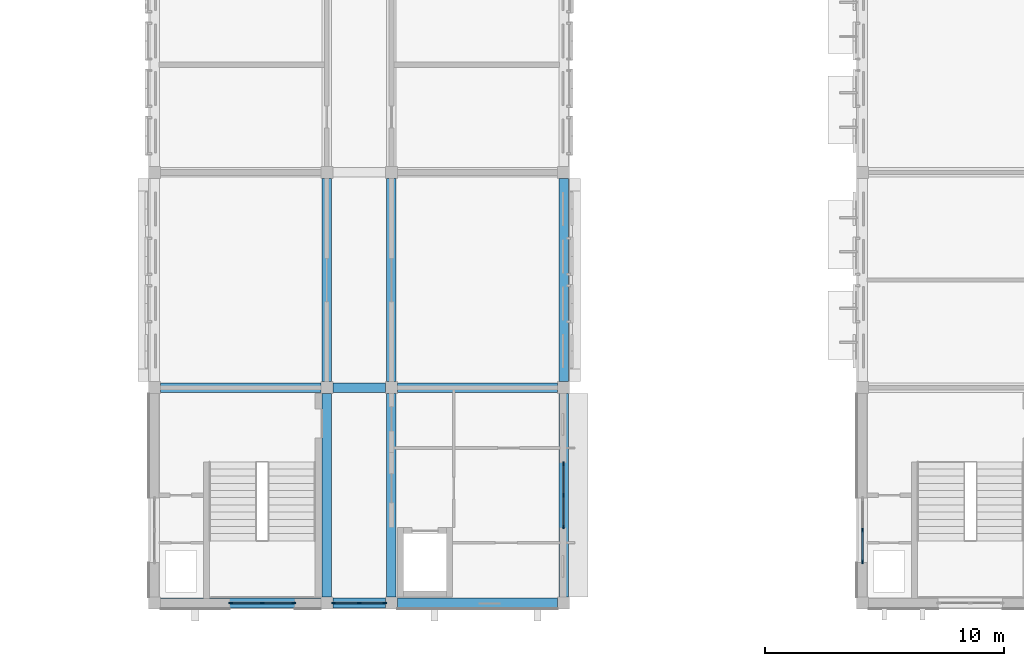
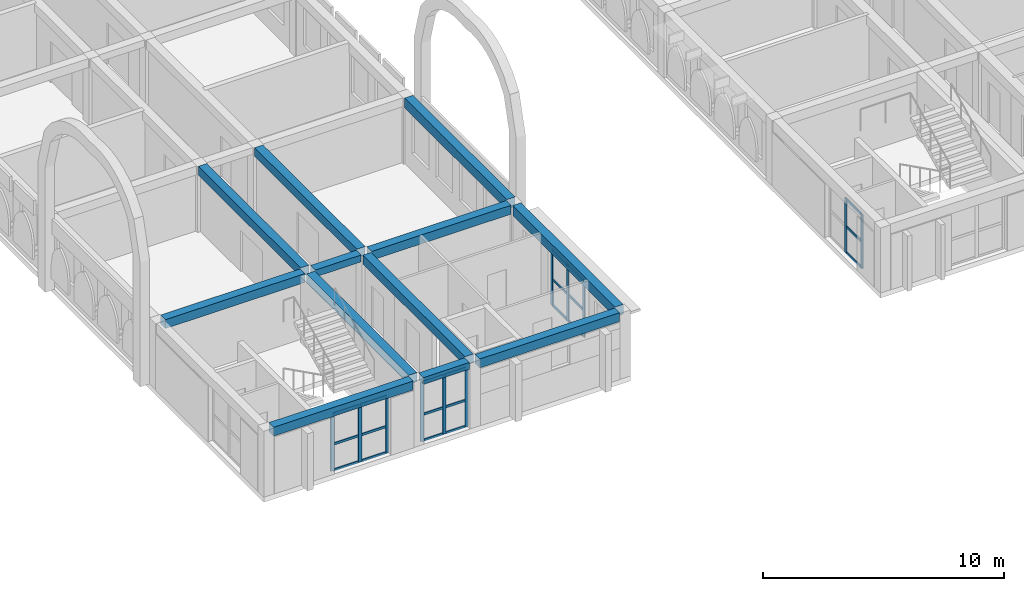
# One storey, part 22 of 65: 32 members, 12 beams, 4 elements without a shape of their own.
"""IFC4 building model written with IfcOpenShell, lengths in metres."""

from ifc_helpers import new_model, si_unit, direction, frame, origin, origin_2d, place, context, subcontext, project, spatial, rectangle, extrude, material, layer, layer_set, material_profile, profile_set, type_object, element, aggregate, save


model = new_model("IFC4")

# Units and contexts
model_context = context("Model", 3, precision=1e-05, world=origin(), true_north=direction((0.0, 1.0)))
body_context = subcontext(model_context, "Body", "Model", "MODEL_VIEW")
ifc_project = project(units=[si_unit("LENGTHUNIT", "METRE"), si_unit("AREAUNIT", "SQUARE_METRE"), si_unit("VOLUMEUNIT", "CUBIC_METRE"), si_unit("PLANEANGLEUNIT", "RADIAN"), si_unit("MASSUNIT", "GRAM", prefix="KILO")], contexts=[model_context])

# Site, building, storey
site_placement = place(None, origin())
site = spatial("IfcSite", under=ifc_project, at=site_placement, CompositionType="ELEMENT")
building_placement = place(site_placement, origin())
building = spatial("IfcBuilding", under=site, at=building_placement, Name="Elbe Cascade School", CompositionType="ELEMENT")
storey_placement = place(building_placement, frame((0.0, 0.0, 11.699951171875)))
storey = spatial("IfcBuildingStorey", under=building, at=storey_placement, Name="L03", CompositionType="ELEMENT", Elevation=11.699951171875)

# Curtain wall, members
ifc_material_1 = material(Name="Aluminium frame with double glazing, bronze anodised", Category="aluminium")
ifc_layer = layer(ifc_material_1, 0.159912109375)
ifc_layer_set = layer_set([ifc_layer], Name="Aluminium frame with double glazing, bronze anodised")
curtain_wall_type = type_object("IfcCurtainWallType", Name="Bars envelope Curtain wall, aluminium, bronze anodised, storey-high slot", PredefinedType="NOTDEFINED", material=ifc_layer_set)
curtain_wall_1_placement = place(storey_placement, origin())
curtain_wall_1 = element("IfcCurtainWall", 1, at=curtain_wall_1_placement, inside=storey, type_object=curtain_wall_type, Name="Curtain wall CW4 A.L03.e1", PredefinedType="NOTDEFINED")
ifc_material_2 = material(Name="Aluminium mullion, bronze anodised", Category="aluminium")
ifc_material_profile_1 = material_profile(ifc_material_2, rectangle(XDim=0.06005859375, YDim=0.159912109375, at=origin_2d()), Name="Bars envelope Curtain wall mullion 60 x 160, aluminium, storey-high slot")
ifc_profile_set_1 = profile_set([ifc_material_profile_1], Name="Aluminium mullion, bronze anodised")
member_type_1 = type_object("IfcMemberType", Name="Bars envelope Curtain wall mullion 60 x 160, aluminium, storey-high slot", PredefinedType="MULLION", material=ifc_profile_set_1)
member_1_placement = place(storey_placement, frame((86.10009765625, 11.820068359375, 0.0), z_axis=(0.0, 0.0, 1.0), x_axis=(1.0, 0.0, 0.0)))
member_1 = element("IfcMember", 2, at=member_1_placement, type_object=member_type_1, Name="CW4 mullion 1", PredefinedType="MULLION", context=body_context, shape_type="SweptSolid", body=[
    extrude(rectangle(XDim=0.06005859375, YDim=0.159912109375, at=origin_2d()), origin(), (0.0, 0.0, 1.0), 2.85009765625),
])
member_2_placement = place(storey_placement, frame((86.10009765625, 10.5, 0.0), z_axis=(0.0, 0.0, 1.0), x_axis=(1.0, 0.0, 0.0)))
member_2 = element("IfcMember", 3, at=member_2_placement, type_object=member_type_1, Name="CW4 mullion 2", PredefinedType="MULLION", context=body_context, shape_type="SweptSolid", body=[
    extrude(rectangle(XDim=0.06005859375, YDim=0.159912109375, at=origin_2d()), origin(), (0.0, 0.0, 1.0), 2.85009765625),
])
member_3_placement = place(storey_placement, frame((86.10009765625, 9.179931640625, 0.0), z_axis=(0.0, 0.0, 1.0), x_axis=(1.0, 0.0, 0.0)))
member_3 = element("IfcMember", 4, at=member_3_placement, type_object=member_type_1, Name="CW4 mullion 3", PredefinedType="MULLION", context=body_context, shape_type="SweptSolid", body=[
    extrude(rectangle(XDim=0.06005859375, YDim=0.159912109375, at=origin_2d()), origin(), (0.0, 0.0, 1.0), 2.85009765625),
])

curtain_wall_2_placement = place(storey_placement, origin())
curtain_wall_2 = element("IfcCurtainWall", 5, at=curtain_wall_2_placement, inside=storey, type_object=curtain_wall_type, Name="Curtain wall CW4 A.L03.s1", PredefinedType="NOTDEFINED")
member_4_placement = place(storey_placement, frame((74.820068359375, 6.0, 0.0), z_axis=(0.0, 0.0, 1.0), x_axis=(0.0, -1.0, 0.0)))
member_4 = element("IfcMember", 6, at=member_4_placement, type_object=member_type_1, Name="CW4 mullion 1", PredefinedType="MULLION", context=body_context, shape_type="SweptSolid", body=[
    extrude(rectangle(XDim=0.06005859375, YDim=0.159912109375, at=origin_2d()), origin(), (0.0, 0.0, 1.0), 2.900146484375),
])
member_5_placement = place(storey_placement, frame((73.5, 6.0, 0.0), z_axis=(0.0, 0.0, 1.0), x_axis=(0.0, -1.0, 0.0)))
member_5 = element("IfcMember", 7, at=member_5_placement, type_object=member_type_1, Name="CW4 mullion 2", PredefinedType="MULLION", context=body_context, shape_type="SweptSolid", body=[
    extrude(rectangle(XDim=0.06005859375, YDim=0.159912109375, at=origin_2d()), origin(), (0.0, 0.0, 1.0), 2.900146484375),
])
member_6_placement = place(storey_placement, frame((72.179931640625, 6.0, 0.0), z_axis=(0.0, 0.0, 1.0), x_axis=(0.0, -1.0, 0.0)))
member_6 = element("IfcMember", 8, at=member_6_placement, type_object=member_type_1, Name="CW4 mullion 3", PredefinedType="MULLION", context=body_context, shape_type="SweptSolid", body=[
    extrude(rectangle(XDim=0.06005859375, YDim=0.159912109375, at=origin_2d()), origin(), (0.0, 0.0, 1.0), 2.900146484375),
])

curtain_wall_3_placement = place(storey_placement, origin())
curtain_wall_3 = element("IfcCurtainWall", 9, at=curtain_wall_3_placement, inside=storey, type_object=curtain_wall_type, Name="Curtain wall CW4 A.L03.s2", PredefinedType="NOTDEFINED")
member_7_placement = place(storey_placement, frame((78.6201171875, 6.0, 0.0), z_axis=(0.0, 0.0, 1.0), x_axis=(0.0, -1.0, 0.0)))
member_7 = element("IfcMember", 10, at=member_7_placement, type_object=member_type_1, Name="CW4 mullion 1", PredefinedType="MULLION", context=body_context, shape_type="SweptSolid", body=[
    extrude(rectangle(XDim=0.06005859375, YDim=0.159912109375, at=origin_2d()), origin(), (0.0, 0.0, 1.0), 3.0),
])
member_8_placement = place(storey_placement, frame((77.550048828125, 6.0, 0.0), z_axis=(0.0, 0.0, 1.0), x_axis=(0.0, -1.0, 0.0)))
member_8 = element("IfcMember", 11, at=member_8_placement, type_object=member_type_1, Name="CW4 mullion 2", PredefinedType="MULLION", context=body_context, shape_type="SweptSolid", body=[
    extrude(rectangle(XDim=0.06005859375, YDim=0.159912109375, at=origin_2d()), origin(), (0.0, 0.0, 1.0), 3.0),
])
member_9_placement = place(storey_placement, frame((76.47998046875, 6.0, 0.0), z_axis=(0.0, 0.0, 1.0), x_axis=(0.0, -1.0, 0.0)))
member_9 = element("IfcMember", 12, at=member_9_placement, type_object=member_type_1, Name="CW4 mullion 3", PredefinedType="MULLION", context=body_context, shape_type="SweptSolid", body=[
    extrude(rectangle(XDim=0.06005859375, YDim=0.159912109375, at=origin_2d()), origin(), (0.0, 0.0, 1.0), 3.0),
])

curtain_wall_4_placement = place(storey_placement, origin())
curtain_wall_4 = element("IfcCurtainWall", 13, at=curtain_wall_4_placement, inside=storey, type_object=curtain_wall_type, Name="Curtain wall CW4 B.L03.w1", PredefinedType="NOTDEFINED")
member_10_placement = place(storey_placement, frame((98.60009765625, 7.719970703125, 0.0), z_axis=(0.0, 0.0, 1.0), x_axis=(-1.0, 0.0, 0.0)))
member_10 = element("IfcMember", 14, at=member_10_placement, type_object=member_type_1, Name="CW4 mullion 1", PredefinedType="MULLION", context=body_context, shape_type="SweptSolid", body=[
    extrude(rectangle(XDim=0.06005859375, YDim=0.159912109375, at=origin_2d()), origin(), (0.0, 0.0, 1.0), 2.75),
])
member_11_placement = place(storey_placement, frame((98.60009765625, 9.0400390625, 0.0), z_axis=(0.0, 0.0, 1.0), x_axis=(-1.0, 0.0, 0.0)))
member_11 = element("IfcMember", 15, at=member_11_placement, type_object=member_type_1, Name="CW4 mullion 2", PredefinedType="MULLION", context=body_context, shape_type="SweptSolid", body=[
    extrude(rectangle(XDim=0.06005859375, YDim=0.159912109375, at=origin_2d()), origin(), (0.0, 0.0, 1.0), 2.75),
])

# Member
ifc_material_3 = material(Name="Aluminium transom, bronze anodised", Category="aluminium")
ifc_material_profile_2 = material_profile(ifc_material_3, rectangle(XDim=0.06005859375, YDim=0.1201171875, at=origin_2d()), Name="Bars envelope Curtain wall transom 60 x 120, aluminium, storey-high slot")
ifc_profile_set_2 = profile_set([ifc_material_profile_2], Name="Aluminium transom, bronze anodised")
member_type_2 = type_object("IfcMemberType", Name="Bars envelope Curtain wall transom 60 x 120, aluminium, storey-high slot", PredefinedType="USERDEFINED", material=ifc_profile_set_2)
member_12_placement = place(storey_placement, frame((86.10009765625, 11.7900390625, 0.030029296875), z_axis=(0.0, -1.0, 0.0), x_axis=(1.0, 0.0, 0.0)))
member_12 = element("IfcMember", 16, at=member_12_placement, type_object=member_type_2, Name="CW4 transom 1.1", ObjectType="TRANSOM", PredefinedType="USERDEFINED", context=body_context, shape_type="SweptSolid", body=[
    extrude(rectangle(XDim=0.06005859375, YDim=0.1201171875, at=origin_2d()), origin(), (0.0, 0.0, 1.0), 1.260009765625),
])

member_13_placement = place(storey_placement, frame((86.10009765625, 11.7900390625, 1.35009765625), z_axis=(0.0, -1.0, 0.0), x_axis=(1.0, 0.0, 0.0)))
member_13 = element("IfcMember", 17, at=member_13_placement, type_object=member_type_2, Name="CW4 transom 1.2", ObjectType="TRANSOM", PredefinedType="USERDEFINED", context=body_context, shape_type="SweptSolid", body=[
    extrude(rectangle(XDim=0.06005859375, YDim=0.1201171875, at=origin_2d()), origin(), (0.0, 0.0, 1.0), 1.260009765625),
])

member_14_placement = place(storey_placement, frame((86.10009765625, 11.7900390625, 2.820068359375), z_axis=(0.0, -1.0, 0.0), x_axis=(1.0, 0.0, 0.0)))
member_14 = element("IfcMember", 18, at=member_14_placement, type_object=member_type_2, Name="CW4 transom 1.3", ObjectType="TRANSOM", PredefinedType="USERDEFINED", context=body_context, shape_type="SweptSolid", body=[
    extrude(rectangle(XDim=0.06005859375, YDim=0.1201171875, at=origin_2d()), origin(), (0.0, 0.0, 1.0), 1.260009765625),
])

member_15_placement = place(storey_placement, frame((86.10009765625, 10.469970703125, 0.030029296875), z_axis=(0.0, -1.0, 0.0), x_axis=(1.0, 0.0, 0.0)))
member_15 = element("IfcMember", 19, at=member_15_placement, type_object=member_type_2, Name="CW4 transom 2.1", ObjectType="TRANSOM", PredefinedType="USERDEFINED", context=body_context, shape_type="SweptSolid", body=[
    extrude(rectangle(XDim=0.06005859375, YDim=0.1201171875, at=origin_2d()), origin(), (0.0, 0.0, 1.0), 1.260009765625),
])

member_16_placement = place(storey_placement, frame((86.10009765625, 10.469970703125, 1.35009765625), z_axis=(0.0, -1.0, 0.0), x_axis=(1.0, 0.0, 0.0)))
member_16 = element("IfcMember", 20, at=member_16_placement, type_object=member_type_2, Name="CW4 transom 2.2", ObjectType="TRANSOM", PredefinedType="USERDEFINED", context=body_context, shape_type="SweptSolid", body=[
    extrude(rectangle(XDim=0.06005859375, YDim=0.1201171875, at=origin_2d()), origin(), (0.0, 0.0, 1.0), 1.260009765625),
])

member_17_placement = place(storey_placement, frame((86.10009765625, 10.469970703125, 2.820068359375), z_axis=(0.0, -1.0, 0.0), x_axis=(1.0, 0.0, 0.0)))
member_17 = element("IfcMember", 21, at=member_17_placement, type_object=member_type_2, Name="CW4 transom 2.3", ObjectType="TRANSOM", PredefinedType="USERDEFINED", context=body_context, shape_type="SweptSolid", body=[
    extrude(rectangle(XDim=0.06005859375, YDim=0.1201171875, at=origin_2d()), origin(), (0.0, 0.0, 1.0), 1.260009765625),
])

aggregate(curtain_wall_1, [member_1, member_2, member_3, member_12, member_13, member_14, member_15, member_16, member_17])

member_18_placement = place(storey_placement, frame((74.7900390625, 6.0, 0.030029296875), z_axis=(-1.0, 0.0, 0.0), x_axis=(0.0, -1.0, 0.0)))
member_18 = element("IfcMember", 22, at=member_18_placement, type_object=member_type_2, Name="CW4 transom 1.1", ObjectType="TRANSOM", PredefinedType="USERDEFINED", context=body_context, shape_type="SweptSolid", body=[
    extrude(rectangle(XDim=0.06005859375, YDim=0.1201171875, at=origin_2d()), origin(), (0.0, 0.0, 1.0), 1.260009765625),
])

member_19_placement = place(storey_placement, frame((74.7900390625, 6.0, 1.35009765625), z_axis=(-1.0, 0.0, 0.0), x_axis=(0.0, -1.0, 0.0)))
member_19 = element("IfcMember", 23, at=member_19_placement, type_object=member_type_2, Name="CW4 transom 1.2", ObjectType="TRANSOM", PredefinedType="USERDEFINED", context=body_context, shape_type="SweptSolid", body=[
    extrude(rectangle(XDim=0.06005859375, YDim=0.1201171875, at=origin_2d()), origin(), (0.0, 0.0, 1.0), 1.260009765625),
])

member_20_placement = place(storey_placement, frame((74.7900390625, 6.0, 2.8701171875), z_axis=(-1.0, 0.0, 0.0), x_axis=(0.0, -1.0, 0.0)))
member_20 = element("IfcMember", 24, at=member_20_placement, type_object=member_type_2, Name="CW4 transom 1.3", ObjectType="TRANSOM", PredefinedType="USERDEFINED", context=body_context, shape_type="SweptSolid", body=[
    extrude(rectangle(XDim=0.06005859375, YDim=0.1201171875, at=origin_2d()), origin(), (0.0, 0.0, 1.0), 1.260009765625),
])

member_21_placement = place(storey_placement, frame((73.469970703125, 6.0, 0.030029296875), z_axis=(-1.0, 0.0, 0.0), x_axis=(0.0, -1.0, 0.0)))
member_21 = element("IfcMember", 25, at=member_21_placement, type_object=member_type_2, Name="CW4 transom 2.1", ObjectType="TRANSOM", PredefinedType="USERDEFINED", context=body_context, shape_type="SweptSolid", body=[
    extrude(rectangle(XDim=0.06005859375, YDim=0.1201171875, at=origin_2d()), origin(), (0.0, 0.0, 1.0), 1.260009765625),
])

member_22_placement = place(storey_placement, frame((73.469970703125, 6.0, 1.35009765625), z_axis=(-1.0, 0.0, 0.0), x_axis=(0.0, -1.0, 0.0)))
member_22 = element("IfcMember", 26, at=member_22_placement, type_object=member_type_2, Name="CW4 transom 2.2", ObjectType="TRANSOM", PredefinedType="USERDEFINED", context=body_context, shape_type="SweptSolid", body=[
    extrude(rectangle(XDim=0.06005859375, YDim=0.1201171875, at=origin_2d()), origin(), (0.0, 0.0, 1.0), 1.260009765625),
])

member_23_placement = place(storey_placement, frame((73.469970703125, 6.0, 2.8701171875), z_axis=(-1.0, 0.0, 0.0), x_axis=(0.0, -1.0, 0.0)))
member_23 = element("IfcMember", 27, at=member_23_placement, type_object=member_type_2, Name="CW4 transom 2.3", ObjectType="TRANSOM", PredefinedType="USERDEFINED", context=body_context, shape_type="SweptSolid", body=[
    extrude(rectangle(XDim=0.06005859375, YDim=0.1201171875, at=origin_2d()), origin(), (0.0, 0.0, 1.0), 1.260009765625),
])

aggregate(curtain_wall_2, [member_4, member_5, member_6, member_18, member_19, member_20, member_21, member_22, member_23])

member_24_placement = place(storey_placement, frame((78.590087890625, 6.0, 0.030029296875), z_axis=(-1.0, 0.0, 0.0), x_axis=(0.0, -1.0, 0.0)))
member_24 = element("IfcMember", 28, at=member_24_placement, type_object=member_type_2, Name="CW4 transom 1.1", ObjectType="TRANSOM", PredefinedType="USERDEFINED", context=body_context, shape_type="SweptSolid", body=[
    extrude(rectangle(XDim=0.06005859375, YDim=0.1201171875, at=origin_2d()), origin(), (0.0, 0.0, 1.0), 1.010009765625),
])

member_25_placement = place(storey_placement, frame((78.590087890625, 6.0, 1.35009765625), z_axis=(-1.0, 0.0, 0.0), x_axis=(0.0, -1.0, 0.0)))
member_25 = element("IfcMember", 29, at=member_25_placement, type_object=member_type_2, Name="CW4 transom 1.2", ObjectType="TRANSOM", PredefinedType="USERDEFINED", context=body_context, shape_type="SweptSolid", body=[
    extrude(rectangle(XDim=0.06005859375, YDim=0.1201171875, at=origin_2d()), origin(), (0.0, 0.0, 1.0), 1.010009765625),
])

member_26_placement = place(storey_placement, frame((78.590087890625, 6.0, 2.969970703125), z_axis=(-1.0, 0.0, 0.0), x_axis=(0.0, -1.0, 0.0)))
member_26 = element("IfcMember", 30, at=member_26_placement, type_object=member_type_2, Name="CW4 transom 1.3", ObjectType="TRANSOM", PredefinedType="USERDEFINED", context=body_context, shape_type="SweptSolid", body=[
    extrude(rectangle(XDim=0.06005859375, YDim=0.1201171875, at=origin_2d()), origin(), (0.0, 0.0, 1.0), 1.010009765625),
])

member_27_placement = place(storey_placement, frame((77.52001953125, 6.0, 0.030029296875), z_axis=(-1.0, 0.0, 0.0), x_axis=(0.0, -1.0, 0.0)))
member_27 = element("IfcMember", 31, at=member_27_placement, type_object=member_type_2, Name="CW4 transom 2.1", ObjectType="TRANSOM", PredefinedType="USERDEFINED", context=body_context, shape_type="SweptSolid", body=[
    extrude(rectangle(XDim=0.06005859375, YDim=0.1201171875, at=origin_2d()), origin(), (0.0, 0.0, 1.0), 1.010009765625),
])

member_28_placement = place(storey_placement, frame((77.52001953125, 6.0, 1.35009765625), z_axis=(-1.0, 0.0, 0.0), x_axis=(0.0, -1.0, 0.0)))
member_28 = element("IfcMember", 32, at=member_28_placement, type_object=member_type_2, Name="CW4 transom 2.2", ObjectType="TRANSOM", PredefinedType="USERDEFINED", context=body_context, shape_type="SweptSolid", body=[
    extrude(rectangle(XDim=0.06005859375, YDim=0.1201171875, at=origin_2d()), origin(), (0.0, 0.0, 1.0), 1.010009765625),
])

member_29_placement = place(storey_placement, frame((77.52001953125, 6.0, 2.969970703125), z_axis=(-1.0, 0.0, 0.0), x_axis=(0.0, -1.0, 0.0)))
member_29 = element("IfcMember", 33, at=member_29_placement, type_object=member_type_2, Name="CW4 transom 2.3", ObjectType="TRANSOM", PredefinedType="USERDEFINED", context=body_context, shape_type="SweptSolid", body=[
    extrude(rectangle(XDim=0.06005859375, YDim=0.1201171875, at=origin_2d()), origin(), (0.0, 0.0, 1.0), 1.010009765625),
])

aggregate(curtain_wall_3, [member_7, member_8, member_9, member_24, member_25, member_26, member_27, member_28, member_29])

member_30_placement = place(storey_placement, frame((98.60009765625, 7.75, 0.030029296875), z_axis=(0.0, 1.0, 0.0), x_axis=(-1.0, 0.0, 0.0)))
member_30 = element("IfcMember", 34, at=member_30_placement, type_object=member_type_2, Name="CW4 transom 1.1", ObjectType="TRANSOM", PredefinedType="USERDEFINED", context=body_context, shape_type="SweptSolid", body=[
    extrude(rectangle(XDim=0.06005859375, YDim=0.1201171875, at=origin_2d()), origin(), (0.0, 0.0, 1.0), 1.260009765625),
])

member_31_placement = place(storey_placement, frame((98.60009765625, 7.75, 1.35009765625), z_axis=(0.0, 1.0, 0.0), x_axis=(-1.0, 0.0, 0.0)))
member_31 = element("IfcMember", 35, at=member_31_placement, type_object=member_type_2, Name="CW4 transom 1.2", ObjectType="TRANSOM", PredefinedType="USERDEFINED", context=body_context, shape_type="SweptSolid", body=[
    extrude(rectangle(XDim=0.06005859375, YDim=0.1201171875, at=origin_2d()), origin(), (0.0, 0.0, 1.0), 1.260009765625),
])

member_32_placement = place(storey_placement, frame((98.60009765625, 7.75, 2.719970703125), z_axis=(0.0, 1.0, 0.0), x_axis=(-1.0, 0.0, 0.0)))
member_32 = element("IfcMember", 36, at=member_32_placement, type_object=member_type_2, Name="CW4 transom 1.3", ObjectType="TRANSOM", PredefinedType="USERDEFINED", context=body_context, shape_type="SweptSolid", body=[
    extrude(rectangle(XDim=0.06005859375, YDim=0.1201171875, at=origin_2d()), origin(), (0.0, 0.0, 1.0), 1.260009765625),
])

aggregate(curtain_wall_4, [member_10, member_11, member_30, member_31, member_32])

# Beams
ifc_material_4 = material(Name="Concrete C30/37", Category="concrete")
ifc_material_profile_3 = material_profile(ifc_material_4, rectangle(XDim=0.39990234375, YDim=0.35009765625, at=origin_2d()), Name="RC 400x350")
ifc_profile_set_3 = profile_set([ifc_material_profile_3], Name="Concrete C30/37")
beam_type_1 = type_object("IfcBeamType", Name="RC 400x350 beam", PredefinedType="BEAM", material=ifc_profile_set_3)
for number, where, z_axis, x_axis, name in (
    (37, (76.449951171875, 6.0, 3.175048828125), (1.0, 0.0, 0.0), (0.0, 1.0, 0.0), "RC 400x350 beam B3"),
    (38, (76.449951171875, 15.0, 3.175048828125), (1.0, 0.0, 0.0), (0.0, 1.0, 0.0), "RC 400x350 beam B3"),
):
    element("IfcBeam", number, at=place(storey_placement, frame(where, z_axis=z_axis, x_axis=x_axis)), inside=storey, type_object=beam_type_1, Name=name, PredefinedType="BEAM", context=body_context, shape_type="SweptSolid", body=[
        extrude(rectangle(XDim=0.39990234375, YDim=0.35009765625, at=origin_2d()), origin(), (0.0, 0.0, 1.0), 2.199951171875),
    ])
ifc_material_5 = material(Name="Concrete C30/37", Category="concrete")
ifc_material_profile_4 = material_profile(ifc_material_5, rectangle(XDim=0.39990234375, YDim=0.449951171875, at=origin_2d()), Name="RC 400x450")
ifc_profile_set_4 = profile_set([ifc_material_profile_4], Name="Concrete C30/37")
beam_type_2 = type_object("IfcBeamType", Name="RC 400x450 beam", PredefinedType="BEAM", material=ifc_profile_set_4)
for number, where, z_axis, x_axis, name in (
    (39, (76.199951171875, 6.25, 3.125), (0.0, 1.0, 0.0), (-1.0, 0.0, 0.0), "RC 400x450 beam B2"),
    (40, (76.199951171875, 15.25, 3.125), (0.0, 1.0, 0.0), (-1.0, 0.0, 0.0), "RC 400x450 beam B2"),
    (41, (78.89990234375, 6.25, 3.125), (0.0, 1.0, 0.0), (-1.0, 0.0, 0.0), "RC 400x450 beam B2"),
    (42, (78.89990234375, 15.25, 3.125), (0.0, 1.0, 0.0), (-1.0, 0.0, 0.0), "RC 400x450 beam B2"),
):
    element("IfcBeam", number, at=place(storey_placement, frame(where, z_axis=z_axis, x_axis=x_axis)), inside=storey, type_object=beam_type_2, Name=name, PredefinedType="BEAM", context=body_context, shape_type="SweptSolid", body=[
        extrude(rectangle(XDim=0.39990234375, YDim=0.449951171875, at=origin_2d()), origin(), (0.0, 0.0, 1.0), 8.5),
    ])
beam_1_placement = place(storey_placement, frame((69.25, 6.0, 3.125), z_axis=(1.0, 0.0, 0.0), x_axis=(0.0, 1.0, 0.0)))
element("IfcBeam", 43, at=beam_1_placement, inside=storey, type_object=beam_type_2, Name="RC 400x450 beam B2", PredefinedType="BEAM", context=body_context, shape_type="SweptSolid", body=[
    extrude(rectangle(XDim=0.39990234375, YDim=0.449951171875, at=origin_2d()), origin(), (0.0, 0.0, 1.0), 6.699951171875),
])
beam_2_placement = place(storey_placement, frame((79.14990234375, 6.0, 3.125), z_axis=(1.0, 0.0, 0.0), x_axis=(0.0, 1.0, 0.0)))
element("IfcBeam", 44, at=beam_2_placement, inside=storey, type_object=beam_type_2, Name="RC 400x450 beam B2", PredefinedType="BEAM", context=body_context, shape_type="SweptSolid", body=[
    extrude(rectangle(XDim=0.39990234375, YDim=0.449951171875, at=origin_2d()), origin(), (0.0, 0.0, 1.0), 6.7001953125),
])
beam_3_placement = place(storey_placement, frame((69.25, 15.0, 3.125), z_axis=(1.0, 0.0, 0.0), x_axis=(0.0, 1.0, 0.0)))
element("IfcBeam", 45, at=beam_3_placement, inside=storey, type_object=beam_type_2, Name="RC 400x450 beam B2", PredefinedType="BEAM", context=body_context, shape_type="SweptSolid", body=[
    extrude(rectangle(XDim=0.39990234375, YDim=0.449951171875, at=origin_2d()), origin(), (0.0, 0.0, 1.0), 6.699951171875),
])
beam_4_placement = place(storey_placement, frame((79.14990234375, 15.0, 3.125), z_axis=(1.0, 0.0, 0.0), x_axis=(0.0, 1.0, 0.0)))
element("IfcBeam", 46, at=beam_4_placement, inside=storey, type_object=beam_type_2, Name="RC 400x450 beam B2", PredefinedType="BEAM", context=body_context, shape_type="SweptSolid", body=[
    extrude(rectangle(XDim=0.39990234375, YDim=0.449951171875, at=origin_2d()), origin(), (0.0, 0.0, 1.0), 6.7001953125),
])
ifc_material_6 = material(Name="Concrete C30/37", Category="concrete")
ifc_material_profile_5 = material_profile(ifc_material_6, rectangle(XDim=0.39990234375, YDim=0.5, at=origin_2d()), Name="RC 400x500")
ifc_profile_set_5 = profile_set([ifc_material_profile_5], Name="Concrete C30/37")
beam_type_3 = type_object("IfcBeamType", Name="RC 400x500 beam", PredefinedType="BEAM", material=ifc_profile_set_5)
for number, where, z_axis, x_axis, name in (
    (47, (86.10009765625, 6.25, 3.10009765625), (0.0, 1.0, 0.0), (-1.0, 0.0, 0.0), "RC 400x500 beam B1"),
    (48, (86.10009765625, 15.25, 3.10009765625), (0.0, 1.0, 0.0), (-1.0, 0.0, 0.0), "RC 400x500 beam B1"),
):
    element("IfcBeam", number, at=place(storey_placement, frame(where, z_axis=z_axis, x_axis=x_axis)), inside=storey, type_object=beam_type_3, Name=name, PredefinedType="BEAM", context=body_context, shape_type="SweptSolid", body=[
        extrude(rectangle(XDim=0.39990234375, YDim=0.5, at=origin_2d()), origin(), (0.0, 0.0, 1.0), 8.5),
    ])

save(model, "model.ifc")
